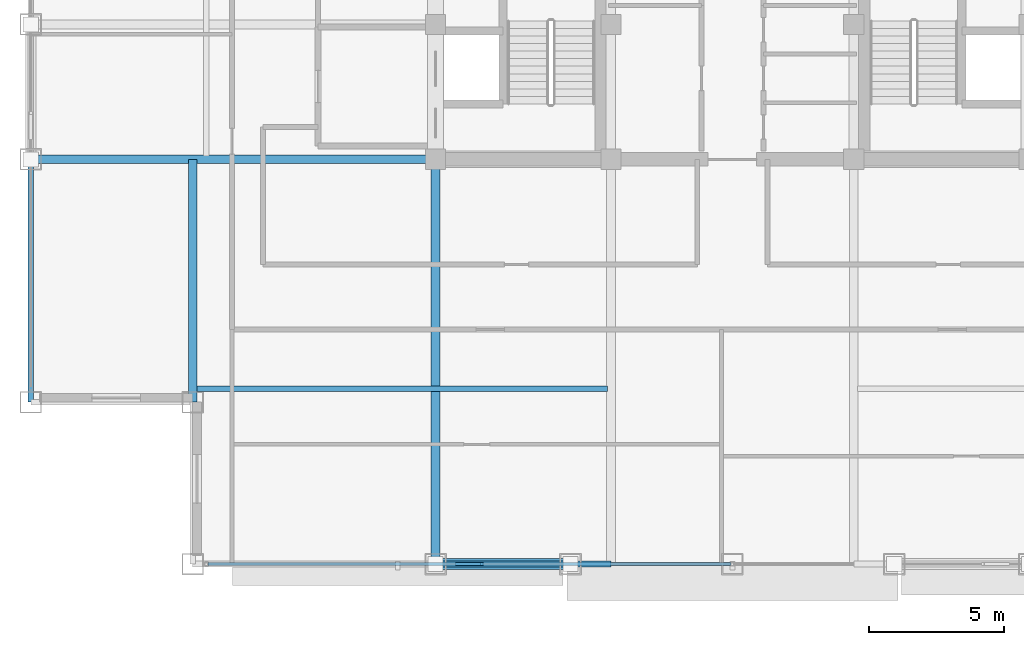
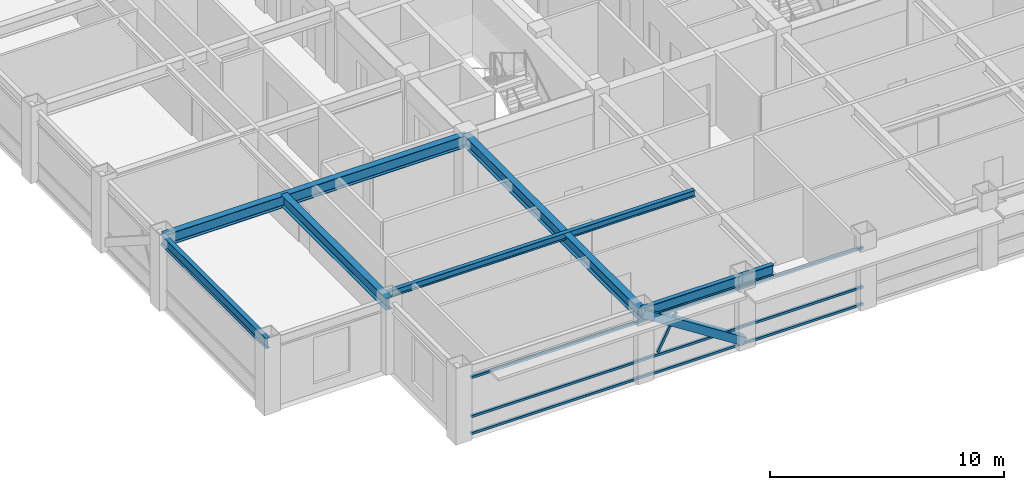
# One storey, part 3 of 32: 7 beams, 5 members, 1 element without a shape of its own.
"""IFC4 building model written with IfcOpenShell, lengths in metres."""

import ifcopenshell
import ifcopenshell.guid

model = None  # the IFC model being written
_history = None  # IfcOwnerHistory: only IFC2X3 demands one
_inside = {}  # id of a spatial element -> (the spatial element, [elements in it])
_under = {}  # id of a project, library or spatial element -> (it, [spatial elements below it])
_declared = {}  # id of a project -> (the project, [libraries it declares])
_typed = {}  # id of a type object -> (the type object, [elements of that type])
_made_of = {}  # id of a material, layer set ... -> (it, [elements and type objects made of it])


def new_model(schema):
    """Start an empty IFC model of exactly this schema.

    Asked for "IFC4X3", IfcOpenShell would pick the latest addendum, in which some entities
    have other attributes; the version numbers below select the first issue.
    IFC2X3 requires an IfcOwnerHistory on every rooted entity: one is made here for all.
    """
    global model, _history
    if schema == "IFC4X3":
        model = ifcopenshell.file(schema_version=(4, 3, 0, 0))
    else:
        model = ifcopenshell.file(schema=schema)
    _inside.clear()
    _under.clear()
    _declared.clear()
    _typed.clear()
    _made_of.clear()
    _history = None
    if model.schema == "IFC2X3":
        org = make("IfcOrganization", Name="unknown")
        user = make(
            "IfcPersonAndOrganization",
            ThePerson=make("IfcPerson", FamilyName="unknown"),
            TheOrganization=org,
        )
        app = make(
            "IfcApplication",
            ApplicationDeveloper=org,
            Version="unknown",
            ApplicationFullName="unknown",
            ApplicationIdentifier="unknown",
        )
        _history = make(
            "IfcOwnerHistory",
            OwningUser=user,
            OwningApplication=app,
            ChangeAction="ADDED",
            CreationDate=0,
        )
    return model


def make(cls, **values):
    """One entity of the class cls with the attributes given. An attribute that is None is left unset."""
    return model.create_entity(
        cls, **{name: value for name, value in values.items() if value is not None}
    )


def rooted(cls, **values):
    """An entity with a GlobalId (a new one), such as an element, a storey or a relation."""
    return make(cls, GlobalId=ifcopenshell.guid.new(), OwnerHistory=_history, **values)


def si_unit(unit_type, name, prefix=None):
    """IfcSIUnit, for example si_unit("LENGTHUNIT", "METRE", prefix="MILLI")."""
    return make("IfcSIUnit", UnitType=unit_type, Prefix=prefix, Name=name)


def assignment(units):
    """IfcUnitAssignment: the units of a project."""
    return None if units is None else make("IfcUnitAssignment", Units=units)


def point(xyz):
    """IfcCartesianPoint."""
    return None if xyz is None else make("IfcCartesianPoint", Coordinates=xyz)


def direction(xyz):
    """IfcDirection."""
    return None if xyz is None else make("IfcDirection", DirectionRatios=xyz)


def frame(location, z_axis=None, x_axis=None):
    """IfcAxis2Placement3D, a coordinate frame: its origin and axes. An axis left out is left unset."""
    return make(
        "IfcAxis2Placement3D",
        Location=point(location),
        Axis=direction(z_axis),
        RefDirection=direction(x_axis),
    )


def frame_2d(location, x_axis=None):
    """IfcAxis2Placement2D, a coordinate frame in the plane: its origin and x axis."""
    return make(
        "IfcAxis2Placement2D", Location=point(location), RefDirection=direction(x_axis)
    )


def origin():
    """The frame at (0, 0, 0) with its axes left unset."""
    return frame((0.0, 0.0, 0.0))


def origin_2d():
    """The frame at (0, 0) in the plane with its x axis left unset."""
    return frame_2d((0.0, 0.0))


def place(relative_to, where):
    """IfcLocalPlacement: puts the frame where relative to a parent placement (None: the world)."""
    return make(
        "IfcLocalPlacement", PlacementRelTo=relative_to, RelativePlacement=where
    )


def context(
    kind, dimensions, precision=None, world=None, true_north=None, identifier=None
):
    """IfcGeometricRepresentationContext, for example the 3D "Model" context."""
    return make(
        "IfcGeometricRepresentationContext",
        ContextIdentifier=identifier,
        ContextType=kind,
        CoordinateSpaceDimension=dimensions,
        Precision=precision,
        WorldCoordinateSystem=world,
        TrueNorth=true_north,
    )


def subcontext(parent, identifier, kind, view, scale=None):
    """IfcGeometricRepresentationSubContext, for example "Body" below "Model"."""
    return make(
        "IfcGeometricRepresentationSubContext",
        ContextIdentifier=identifier,
        ContextType=kind,
        ParentContext=parent,
        TargetScale=scale,
        TargetView=view,
    )


def project(units=None, contexts=None):
    """IfcProject with its units and contexts."""
    return rooted(
        "IfcProject",
        Name="project",
        RepresentationContexts=contexts,
        UnitsInContext=assignment(units),
    )


def spatial(cls, under=None, at=None, **own):
    """A site, building, storey or space (cls), placed at a placement, below another one or the project."""
    s = rooted(cls, ObjectPlacement=at, **own)
    if under is not None:
        _under.setdefault(under.id(), (under, []))[1].append(s)
    return s


def profile(cls, at=None, kind="AREA", **sizes):
    """A parametric profile (cls). Its sizes go by their IFC names, for example OverallWidth=200.0."""
    return make(cls, ProfileType=kind, Position=at, **sizes)


def hollow_rectangle(**sizes):
    """IfcRectangleHollowProfileDef."""
    return profile("IfcRectangleHollowProfileDef", **sizes)


def i_section(**sizes):
    """IfcIShapeProfileDef."""
    return profile("IfcIShapeProfileDef", **sizes)


def extrude(swept, where, along, depth):
    """IfcExtrudedAreaSolid: the profile swept, set in the frame where, extruded along a direction by depth."""
    return make(
        "IfcExtrudedAreaSolid",
        SweptArea=swept,
        Position=where,
        ExtrudedDirection=direction(along),
        Depth=depth,
    )


def shape(context_of_items, identifier, shape_type, items):
    """IfcShapeRepresentation: the items that make up one representation, for example the "Body"."""
    return make(
        "IfcShapeRepresentation",
        ContextOfItems=context_of_items,
        RepresentationIdentifier=identifier,
        RepresentationType=shape_type,
        Items=items,
    )


def source(mapping_origin, context_of_items, identifier, shape_type, items):
    """IfcRepresentationMap: a shape defined once, which mapped items show again and again."""
    return make(
        "IfcRepresentationMap",
        MappingOrigin=mapping_origin,
        MappedRepresentation=shape(context_of_items, identifier, shape_type, items),
    )


def transform(
    local_origin,
    x_axis=None,
    y_axis=None,
    z_axis=None,
    scale=None,
    scale2=None,
    scale3=None,
    uniform=True,
):
    """IfcCartesianTransformationOperator3D, or its non-uniform kind. x_axis, y_axis, z_axis: its Axis1, 2, 3."""
    if uniform:
        return make(
            "IfcCartesianTransformationOperator3D",
            Axis1=direction(x_axis),
            Axis2=direction(y_axis),
            LocalOrigin=point(local_origin),
            Scale=scale,
            Axis3=direction(z_axis),
        )
    return make(
        "IfcCartesianTransformationOperator3DnonUniform",
        Axis1=direction(x_axis),
        Axis2=direction(y_axis),
        LocalOrigin=point(local_origin),
        Scale=scale,
        Axis3=direction(z_axis),
        Scale2=scale2,
        Scale3=scale3,
    )


def mapped(mapping_source, mapping_target):
    """IfcMappedItem: shows the shape of a source again, moved by a transform."""
    return make(
        "IfcMappedItem", MappingSource=mapping_source, MappingTarget=mapping_target
    )


def material(Name=None, Category=None):
    """IfcMaterial."""
    return make("IfcMaterial", Name=Name, Category=Category)


def material_profile(
    of_material, cross_section, Name=None, Category=None, Priority=None
):
    """IfcMaterialProfile: a cross section and its material."""
    return make(
        "IfcMaterialProfile",
        Name=Name,
        Material=of_material,
        Profile=cross_section,
        Priority=Priority,
        Category=Category,
    )


def profile_set(profiles, Name=None, composite=None):
    """IfcMaterialProfileSet."""
    return make(
        "IfcMaterialProfileSet",
        Name=Name,
        MaterialProfiles=profiles,
        CompositeProfile=composite,
    )


def made_of(thing, what):
    """Note that an element or type object is made of a material, layer set ...; save() writes the relation."""
    if what is not None:
        _made_of.setdefault(what.id(), (what, []))[1].append(thing)
    return thing


def type_object(cls, material=None, **own):
    """A type object (cls), such as IfcWallType, which elements share."""
    return made_of(rooted(cls, **own), material)


def element(
    cls,
    number,
    at=None,
    inside=None,
    cuts=None,
    type_object=None,
    material=None,
    context=None,
    identifier="Body",
    shape_type=None,
    held_by="IfcProductDefinitionShape",
    body=None,
    shapes=None,
    **own,
):
    """One element of the class cls, such as IfcWall. Its Tag is "e" and its number.

    at: its placement. inside: the storey or other place that contains it. cuts: it is an
    opening in that element (IfcRelVoidsElement). A single representation is given by context,
    identifier, shape_type and body (its items); several are given by shapes. held_by: the class
    of the entity that holds the representations. save() writes the other relations.
    """
    e = rooted(cls, Tag="e%d" % number, ObjectPlacement=at, **own)
    if body is not None:
        shapes = [shape(context, identifier, shape_type, body)]
    if shapes is not None:
        e.Representation = make(held_by, Representations=shapes)
    if inside is not None:
        _inside.setdefault(inside.id(), (inside, []))[1].append(e)
    if cuts is not None:
        rooted(
            "IfcRelVoidsElement", RelatingBuildingElement=cuts, RelatedOpeningElement=e
        )
    if type_object is not None:
        _typed.setdefault(type_object.id(), (type_object, []))[1].append(e)
    return made_of(e, material)


def aggregate(whole, parts):
    """IfcRelAggregates: a whole, such as a stair, and the parts it consists of."""
    return rooted("IfcRelAggregates", RelatingObject=whole, RelatedObjects=parts)


def save(model, path):
    """Write the relations noted so far, then the file.

    IfcRelAggregates (storeys below a building ...), IfcRelContainedInSpatialStructure (elements
    in a storey), IfcRelDefinesByType, IfcRelAssociatesMaterial and IfcRelDeclares: one each for
    every whole, place, type object, material and project.
    """
    for whole, parts in _under.values():
        aggregate(whole, parts)
    for where, things in _inside.values():
        rooted(
            "IfcRelContainedInSpatialStructure",
            RelatedElements=things,
            RelatingStructure=where,
        )
    for kind, things in _typed.values():
        rooted("IfcRelDefinesByType", RelatedObjects=things, RelatingType=kind)
    for what, things in _made_of.values():
        rooted("IfcRelAssociatesMaterial", RelatedObjects=things, RelatingMaterial=what)
    for by, libraries in _declared.values():
        rooted("IfcRelDeclares", RelatingContext=by, RelatedDefinitions=libraries)
    model.write(path)


model = new_model("IFC4")

# Units and contexts
model_context = context("Model", 3, precision=1e-05, world=origin(), true_north=direction((0.0, 1.0)))
body_context = subcontext(model_context, "Body", "Model", "MODEL_VIEW")
ifc_project = project(units=[si_unit("LENGTHUNIT", "METRE"), si_unit("AREAUNIT", "SQUARE_METRE"), si_unit("VOLUMEUNIT", "CUBIC_METRE"), si_unit("PLANEANGLEUNIT", "RADIAN"), si_unit("MASSUNIT", "GRAM", prefix="KILO")], contexts=[model_context])

# Site, building, storey
site_placement = place(None, origin())
site = spatial("IfcSite", under=ifc_project, at=site_placement, CompositionType="ELEMENT")
building_placement = place(site_placement, origin())
building = spatial("IfcBuilding", under=site, at=building_placement, Name="Khorayat Bourse Tower", CompositionType="ELEMENT")
storey_placement = place(building_placement, frame((0.0, 0.0, 342.300048828125)))
storey = spatial("IfcBuildingStorey", under=building, at=storey_placement, Name="L81", CompositionType="ELEMENT", Elevation=342.300048828125)

# Beams
ifc_material_1 = material(Name="Steel ASTM A992 Grade 50", Category="steel")
ifc_material_profile_1 = material_profile(ifc_material_1, i_section(OverallWidth=0.214111328125, OverallDepth=0.549072265625, WebThickness=0.0146484375, FlangeThickness=0.023681640625, FilletRadius=0.013916015625, at=origin_2d()), Name="W530X138")
ifc_profile_set_1 = profile_set([ifc_material_profile_1], Name="Steel ASTM A992 Grade 50")
beam_type_1 = type_object("IfcBeamType", Name="BM-SPAN-530", PredefinedType="SPANDREL", material=ifc_profile_set_1)
shared_shape_1 = source(origin(), body_context, "Body", "SweptSolid", [
    extrude(i_section(OverallWidth=0.214111328125, OverallDepth=0.549072265625, WebThickness=0.0146484375, FlangeThickness=0.023681640625, FilletRadius=0.013916015625, at=origin_2d()), origin(), (0.0, 0.0, 1.0), 9.0),
])
beam_1_placement = place(storey_placement, frame((-26.0, -20.0, 3.425537109375), z_axis=(0.0, 1.0, 0.0), x_axis=(-1.0, 0.0, 0.0)))
element("IfcBeam", 1, at=beam_1_placement, inside=storey, type_object=beam_type_1, Name="L81 BM-SPAN-530 BM-L81-SPN-050", PredefinedType="SPANDREL", context=body_context, shape_type="MappedRepresentation", body=[
    mapped(shared_shape_1, transform((0.0, 0.0, 0.0), scale=1.0)),
])
shared_shape_2 = source(origin(), body_context, "Body", "SweptSolid", [
    extrude(i_section(OverallWidth=0.214111328125, OverallDepth=0.549072265625, WebThickness=0.0146484375, FlangeThickness=0.023681640625, FilletRadius=0.013916015625, at=origin_2d()), origin(), (0.0, 0.0, 1.0), 5.0),
])
beam_2_placement = place(storey_placement, frame((-11.0, -26.0, 3.425537109375), z_axis=(1.0, 0.0, 0.0), x_axis=(0.0, 1.0, 0.0)))
element("IfcBeam", 2, at=beam_2_placement, inside=storey, type_object=beam_type_1, Name="L81 BM-SPAN-530 BM-L81-SPN-022", PredefinedType="SPANDREL", context=body_context, shape_type="MappedRepresentation", body=[
    mapped(shared_shape_2, transform((0.0, 0.0, 0.0), scale=1.0)),
])
ifc_material_profile_2 = material_profile(ifc_material_1, i_section(OverallWidth=0.324951171875, OverallDepth=0.615966796875, WebThickness=0.013916015625, FlangeThickness=0.021484375, FilletRadius=0.01611328125, at=origin_2d()), Name="W610X174")
ifc_profile_set_2 = profile_set([ifc_material_profile_2], Name="Steel ASTM A992 Grade 50")
beam_type_2 = type_object("IfcBeamType", Name="BM-GIRD-610", PredefinedType="BEAM", material=ifc_profile_set_2)
shared_shape_3 = source(origin(), body_context, "Body", "SweptSolid", [
    extrude(i_section(OverallWidth=0.324951171875, OverallDepth=0.615966796875, WebThickness=0.013916015625, FlangeThickness=0.021484375, FilletRadius=0.01611328125, at=origin_2d()), origin(), (0.0, 0.0, 1.0), 15.0),
])
for number, where, z_axis, x_axis, name in (
    (3, (-11.0, -26.0, 3.391845703125), (0.0, 1.0, 0.0), (-1.0, 0.0, 0.0), "L81 BM-GIRD-610 BM-L81-RADY-054"),
    (4, (-26.0, -11.0, 3.391845703125), (1.0, 0.0, 0.0), (0.0, 1.0, 0.0), "L81 BM-GIRD-610 BM-L81-RADX-062"),
):
    element("IfcBeam", number, at=place(storey_placement, frame(where, z_axis=z_axis, x_axis=x_axis)), inside=storey, type_object=beam_type_2, Name=name, PredefinedType="BEAM", context=body_context, shape_type="MappedRepresentation", body=[
        mapped(shared_shape_3, transform((0.0, 0.0, 0.0), scale=1.0)),
    ])
shared_shape_4 = source(origin(), body_context, "Body", "SweptSolid", [
    extrude(i_section(OverallWidth=0.324951171875, OverallDepth=0.615966796875, WebThickness=0.013916015625, FlangeThickness=0.021484375, FilletRadius=0.01611328125, at=origin_2d()), origin(), (0.0, 0.0, 1.0), 9.0),
])
beam_3_placement = place(storey_placement, frame((-20.0, -20.0, 3.391845703125), z_axis=(0.0, 1.0, 0.0), x_axis=(-1.0, 0.0, 0.0)))
element("IfcBeam", 5, at=beam_3_placement, inside=storey, type_object=beam_type_2, Name="L81 BM-GIRD-610 BM-L81-CNRY-071", PredefinedType="BEAM", context=body_context, shape_type="MappedRepresentation", body=[
    mapped(shared_shape_4, transform((0.0, 0.0, 0.0), scale=1.0)),
])
shared_shape_5 = source(origin(), body_context, "Body", "SweptSolid", [
    extrude(i_section(OverallWidth=0.214111328125, OverallDepth=0.549072265625, WebThickness=0.0146484375, FlangeThickness=0.023681640625, FilletRadius=0.013916015625, at=origin_2d()), origin(), (0.0, 0.0, 1.0), 1.5),
])
beam_4_placement = place(storey_placement, frame((-6.0, -26.0, 3.425537109375), z_axis=(1.0, 0.0, 0.0), x_axis=(0.0, 1.0, 0.0)))
element("IfcBeam", 6, at=beam_4_placement, inside=storey, type_object=beam_type_1, Name="L81 BM-SPAN-530 BM-L81-SPN-023", PredefinedType="SPANDREL", context=body_context, shape_type="MappedRepresentation", body=[
    mapped(shared_shape_5, transform((0.0, 0.0, 0.0), scale=1.0)),
])
ifc_material_profile_3 = material_profile(ifc_material_1, i_section(OverallWidth=0.202880859375, OverallDepth=0.346923828125, WebThickness=0.0078125, FlangeThickness=0.013427734375, FilletRadius=0.010009765625, at=origin_2d()), Name="W360X64")
ifc_profile_set_3 = profile_set([ifc_material_profile_3], Name="Steel ASTM A992 Grade 50")
beam_type_3 = type_object("IfcBeamType", Name="BM-JOIST-360", PredefinedType="JOIST", material=ifc_profile_set_3)
shared_shape_6 = source(origin(), body_context, "Body", "SweptSolid", [
    extrude(i_section(OverallWidth=0.202880859375, OverallDepth=0.346923828125, WebThickness=0.0078125, FlangeThickness=0.013427734375, FilletRadius=0.010009765625, at=origin_2d()), origin(), (0.0, 0.0, 1.0), 15.240234375),
])
beam_5_placement = place(storey_placement, frame((-19.8701171875, -19.5, 3.5263671875), z_axis=(1.0, 0.0, 0.0), x_axis=(0.0, 1.0, 0.0)))
element("IfcBeam", 7, at=beam_5_placement, inside=storey, type_object=beam_type_3, Name="L81 BM-JOIST-360 BM-L81-JSTX-075", PredefinedType="JOIST", context=body_context, shape_type="MappedRepresentation", body=[
    mapped(shared_shape_6, transform((0.0, 0.0, 0.0), scale=1.0)),
])

# Member
ifc_material_2 = material(Name="Steel EN 10025-4 S460M", Category="steel")
ifc_material_profile_4 = material_profile(ifc_material_2, hollow_rectangle(XDim=0.39990234375, YDim=0.39990234375, WallThickness=0.02197265625, at=origin_2d()), Name="HSS 400x400x22")
ifc_profile_set_4 = profile_set([ifc_material_profile_4], Name="Steel EN 10025-4 S460M")
member_type_1 = type_object("IfcMemberType", Name="MBR-TUBE-400", PredefinedType="BRACE", material=ifc_profile_set_4)
shared_shape_7 = source(origin(), body_context, "Body", "SweptSolid", [
    extrude(hollow_rectangle(XDim=0.39990234375, YDim=0.39990234375, WallThickness=0.02197265625, at=origin_2d()), origin(), (0.0, 0.0, 1.0), 5.936279296875),
])
member_1_placement = place(storey_placement, frame((-11.0, -26.0, 3.449951171875), z_axis=(0.84227513519, 0.0, -0.539047861178), x_axis=(0.0, 1.0, 0.0)))
element("IfcMember", 8, at=member_1_placement, inside=storey, type_object=member_type_1, Name="L81 Perimeter Tube Brace 01", PredefinedType="BRACE", context=body_context, shape_type="MappedRepresentation", body=[
    mapped(shared_shape_7, transform((0.0, 0.0, 0.0), scale=1.0)),
])

# Curtain wall, members
ifc_material_3 = material(Name="Aluminium EN AW-6063 T6", Category="aluminium")
curtain_wall_type = type_object("IfcCurtainWallType", Name="CW-SYS-04", PredefinedType="NOTDEFINED", material=ifc_material_3)
curtain_wall_placement = place(storey_placement, origin())
curtain_wall = element("IfcCurtainWall", 9, at=curtain_wall_placement, inside=storey, type_object=curtain_wall_type, Name="L81 Curtain Wall CW-L81-S1", PredefinedType="NOTDEFINED")
ifc_material_profile_5 = material_profile(ifc_material_3, hollow_rectangle(XDim=0.1201171875, YDim=0.1201171875, WallThickness=0.0048828125, at=origin_2d()), Name="ALU 120x120x5")
ifc_profile_set_5 = profile_set([ifc_material_profile_5], Name="Aluminium EN AW-6063 T6")
member_type_2 = type_object("IfcMemberType", Name="CWT-HORZ-120", PredefinedType="USERDEFINED", material=ifc_profile_set_5)
shared_shape_8 = source(origin(), body_context, "Body", "SweptSolid", [
    extrude(hollow_rectangle(XDim=0.1201171875, YDim=0.1201171875, WallThickness=0.0048828125, at=origin_2d()), origin(), (0.0, 0.0, 1.0), 19.369873046875),
])
member_2_placement = place(storey_placement, frame((-19.429931640625, -26.0, 0.06005859375), z_axis=(1.0, 0.0, 0.0), x_axis=(0.0, 1.0, 0.0)))
member_2 = element("IfcMember", 10, at=member_2_placement, type_object=member_type_2, Name="CW-L81-S1 Horizontal Transom 1-1", ObjectType="TRANSOM", PredefinedType="USERDEFINED", context=body_context, shape_type="MappedRepresentation", body=[
    mapped(shared_shape_8, transform((0.0, 0.0, 0.0), scale=1.0)),
])
member_3_placement = place(storey_placement, frame((-19.429931640625, -26.0, 0.949951171875), z_axis=(1.0, 0.0, 0.0), x_axis=(0.0, 1.0, 0.0)))
member_3 = element("IfcMember", 11, at=member_3_placement, type_object=member_type_2, Name="CW-L81-S1 Horizontal Transom 1-2", ObjectType="TRANSOM", PredefinedType="USERDEFINED", context=body_context, shape_type="MappedRepresentation", body=[
    mapped(shared_shape_8, transform((0.0, 0.0, 0.0), scale=1.0)),
])
member_4_placement = place(storey_placement, frame((-19.429931640625, -26.0, 2.989990234375), z_axis=(1.0, 0.0, 0.0), x_axis=(0.0, 1.0, 0.0)))
member_4 = element("IfcMember", 12, at=member_4_placement, type_object=member_type_2, Name="CW-L81-S1 Horizontal Transom 1-3", ObjectType="TRANSOM", PredefinedType="USERDEFINED", context=body_context, shape_type="MappedRepresentation", body=[
    mapped(shared_shape_8, transform((0.0, 0.0, 0.0), scale=1.0)),
])
ifc_material_profile_6 = material_profile(ifc_material_3, hollow_rectangle(XDim=0.1201171875, YDim=0.1201171875, WallThickness=0.0048828125, at=origin_2d()), Name="ALU 120x120x5")
ifc_profile_set_6 = profile_set([ifc_material_profile_6], Name="Aluminium EN AW-6063 T6")
member_type_3 = type_object("IfcMemberType", Name="CWM-DIAG-120", PredefinedType="MULLION", material=ifc_profile_set_6)
shared_shape_9 = source(origin(), body_context, "Body", "SweptSolid", [
    extrude(hollow_rectangle(XDim=0.1201171875, YDim=0.1201171875, WallThickness=0.0048828125, at=origin_2d()), origin(), (0.0, 0.0, 1.0), 1.989013671875),
])
member_5_placement = place(storey_placement, frame((-10.208251953125, -26.0, 1.08984375), z_axis=(0.46582231551, 0.0, 0.884878279976), x_axis=(0.0, 1.0, 0.0)))
member_5 = element("IfcMember", 13, at=member_5_placement, type_object=member_type_3, Name="CW-L81-S1 Faceted Diagonal Mullion 1", PredefinedType="MULLION", context=body_context, shape_type="MappedRepresentation", body=[
    mapped(shared_shape_9, transform((0.0, 0.0, 0.0), scale=1.0)),
])
aggregate(curtain_wall, [member_2, member_3, member_4, member_5])

save(model, "model.ifc")
